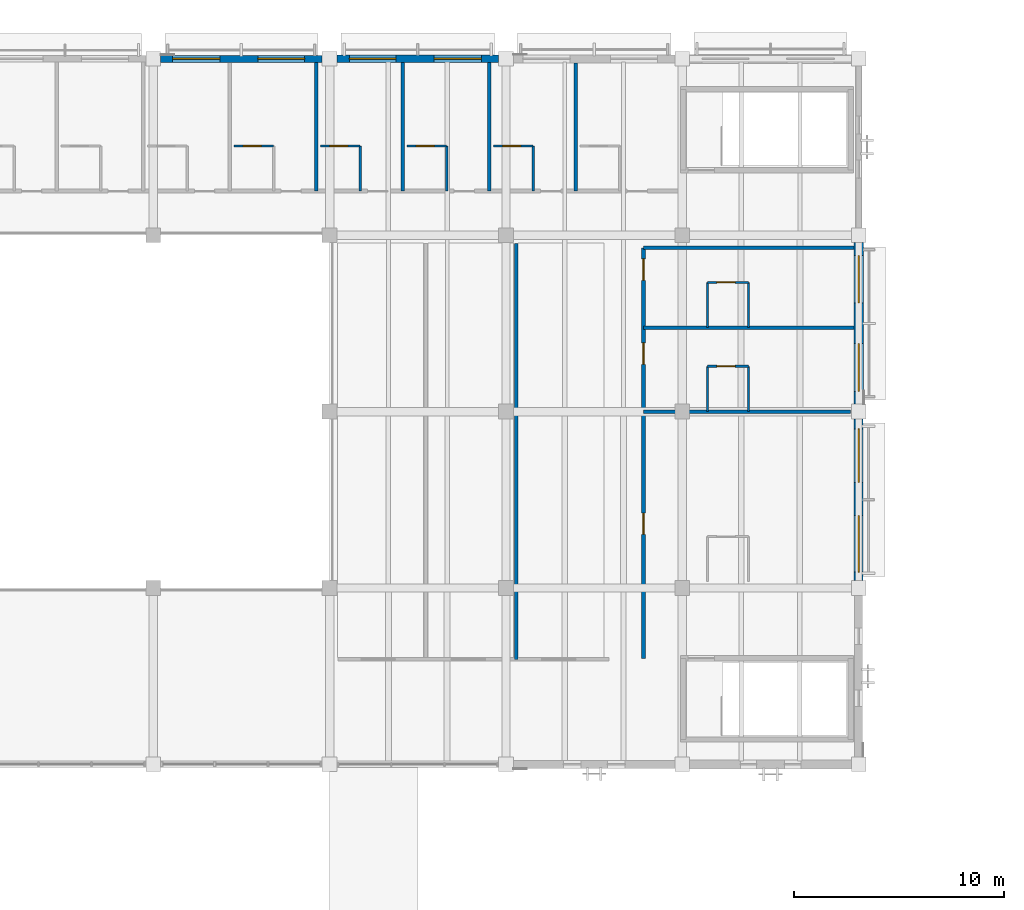
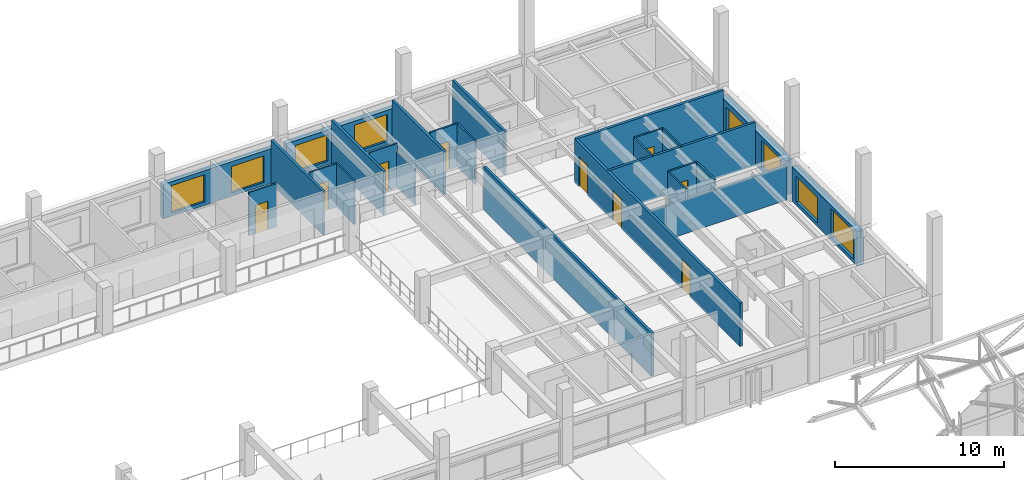
# One storey, part 95 of 123: 26 walls, 9 doors, 8 windows, 17 openings.
"""IFC4 building model written with IfcOpenShell, lengths in metres."""

from ifc_helpers import new_model, si_unit, direction, frame, frame_2d, origin, place, context, subcontext, project, spatial, rectangle, extrude, material, layer, layer_set, type_object, element, fill, save


model = new_model("IFC4")

# Units and contexts
model_context = context("Model", 3, precision=1e-05, world=origin(), true_north=direction((0.0, 1.0)))
body_context = subcontext(model_context, "Body", "Model", "MODEL_VIEW")
ifc_project = project(units=[si_unit("LENGTHUNIT", "METRE"), si_unit("AREAUNIT", "SQUARE_METRE"), si_unit("VOLUMEUNIT", "CUBIC_METRE"), si_unit("PLANEANGLEUNIT", "RADIAN"), si_unit("MASSUNIT", "GRAM", prefix="KILO")], contexts=[model_context])

# Site, building, storey
site_placement = place(None, origin())
site = spatial("IfcSite", under=ifc_project, at=site_placement, CompositionType="ELEMENT")
building_placement = place(site_placement, origin())
building = spatial("IfcBuilding", under=site, at=building_placement, Name="Cumbredor Promenade Congress Hotel", CompositionType="ELEMENT")
storey_placement = place(building_placement, frame((0.0, 0.0, 11.760009765625)))
storey = spatial("IfcBuildingStorey", under=building, at=storey_placement, Name="L03", CompositionType="ELEMENT", Elevation=11.760009765625)

# Wall, opening, door
ifc_material_1 = material(Name="Moisture-resistant gypsum board on steel studs", Category="steel")
ifc_layer_1 = layer(ifc_material_1, 0.114990234375, Name="Moisture-resistant gypsum board on steel studs", Category="steel")
ifc_layer_set_1 = layer_set([ifc_layer_1], Name="Moisture-resistant gypsum board on steel studs")
wall_type_1 = type_object("IfcWallType", Name="WL-BATH-115", PredefinedType="PARTITIONING", material=ifc_layer_set_1)
wall_1_placement = place(storey_placement, frame((146.639892578125, 113.449951171875, 0.0), z_axis=(0.0, 0.0, 1.0), x_axis=(1.0, 0.0, 0.0)))
wall_1 = element("IfcWall", 1, at=wall_1_placement, inside=storey, type_object=wall_type_1, Name="L03 Interior Partition W-L03-FBH-F0308", PredefinedType="PARTITIONING", context=body_context, shape_type="SweptSolid", body=[
    extrude(rectangle(XDim=1.900146484375, YDim=0.114990234375, at=frame_2d((0.9501953125, 0.0))), origin(), (0.0, 0.0, 1.0), 3.125),
])
opening_1_placement = place(wall_1_placement, frame((0.449951171875, 0.0, 0.0)))
opening_1 = element("IfcOpeningElement", 2, at=opening_1_placement, cuts=wall_1, Name="Opening ID-01", PredefinedType="OPENING", context=body_context, shape_type="SweptSolid", body=[
    extrude(rectangle(XDim=0.860107421875, YDim=2.050048828125, at=frame_2d((0.43017578125, 1.02490234375))), frame((0.0, 0.0673828125, 0.0), z_axis=(0.0, -1.0, 0.0), x_axis=(1.0, 0.0, 0.0)), (0.0, 0.0, 1.0), 0.135009765625),
])
ifc_material_2 = material(Name="Kiln-dried tropical hardwood", Category="wood")
door_type_1 = type_object("IfcDoorType", Name="DR-BATH-860", OperationType="NOTDEFINED", PredefinedType="DOOR", material=ifc_material_2)
door_1_placement = place(opening_1_placement, origin())
door_1 = element("IfcDoor", 3, at=door_1_placement, inside=storey, type_object=door_type_1, Name="L03 Interior Door W-L03-FBH-F0308-01", OperationType="SINGLE_SWING_RIGHT", OverallHeight=2.050048828125, OverallWidth=0.860107421875, PredefinedType="DOOR", context=body_context, shape_type="SweptSolid", body=[
    extrude(rectangle(XDim=0.860107421875, YDim=2.050048828125, at=frame_2d((0.43017578125, 1.02490234375))), frame((0.0, 0.02490234375, 0.0), z_axis=(0.0, -1.0, 0.0), x_axis=(1.0, 0.0, 0.0)), (0.0, 0.0, 1.0), 0.050048828125),
])
fill(opening_1, door_1)

wall_2_placement = place(storey_placement, frame((150.760009765625, 113.449951171875, 0.0), z_axis=(0.0, 0.0, 1.0), x_axis=(1.0, 0.0, 0.0)))
wall_2 = element("IfcWall", 4, at=wall_2_placement, inside=storey, type_object=wall_type_1, Name="L03 Interior Partition W-L03-FBH-F0309", PredefinedType="PARTITIONING", context=body_context, shape_type="SweptSolid", body=[
    extrude(rectangle(XDim=1.89990234375, YDim=0.114990234375, at=frame_2d((0.949951171875, 0.0))), origin(), (0.0, 0.0, 1.0), 3.125),
])
opening_2_placement = place(wall_2_placement, frame((0.449951171875, 0.0, 0.0)))
opening_2 = element("IfcOpeningElement", 5, at=opening_2_placement, cuts=wall_2, Name="Opening ID-01", PredefinedType="OPENING", context=body_context, shape_type="SweptSolid", body=[
    extrude(rectangle(XDim=0.860107421875, YDim=2.050048828125, at=frame_2d((0.43017578125, 1.02490234375))), frame((0.0, 0.0673828125, 0.0), z_axis=(0.0, -1.0, 0.0), x_axis=(1.0, 0.0, 0.0)), (0.0, 0.0, 1.0), 0.135009765625),
])
door_2_placement = place(opening_2_placement, origin())
door_2 = element("IfcDoor", 6, at=door_2_placement, inside=storey, type_object=door_type_1, Name="L03 Interior Door W-L03-FBH-F0309-01", OperationType="SINGLE_SWING_LEFT", OverallHeight=2.050048828125, OverallWidth=0.860107421875, PredefinedType="DOOR", context=body_context, shape_type="SweptSolid", body=[
    extrude(rectangle(XDim=0.860107421875, YDim=2.050048828125, at=frame_2d((0.43017578125, 1.02490234375))), frame((0.0, 0.02490234375, 0.0), z_axis=(0.0, -1.0, 0.0), x_axis=(1.0, 0.0, 0.0)), (0.0, 0.0, 1.0), 0.050048828125),
])
fill(opening_2, door_2)

# Wall
wall_3_placement = place(storey_placement, frame((152.659912109375, 111.300048828125, 0.0), z_axis=(0.0, 0.0, 1.0), x_axis=(0.0, 1.0, 0.0)))
element("IfcWall", 7, at=wall_3_placement, inside=storey, type_object=wall_type_1, Name="L03 Interior Partition W-L03-FBV-F0309", PredefinedType="PARTITIONING", context=body_context, shape_type="SweptSolid", body=[
    extrude(rectangle(XDim=2.14990234375, YDim=0.114990234375, at=frame_2d((1.074951171875, 0.0))), origin(), (0.0, 0.0, 1.0), 3.125),
])

# Wall, opening, door
wall_4_placement = place(storey_placement, frame((154.8798828125, 113.449951171875, 0.0), z_axis=(0.0, 0.0, 1.0), x_axis=(1.0, 0.0, 0.0)))
wall_4 = element("IfcWall", 8, at=wall_4_placement, inside=storey, type_object=wall_type_1, Name="L03 Interior Partition W-L03-FBH-F0310", PredefinedType="PARTITIONING", context=body_context, shape_type="SweptSolid", body=[
    extrude(rectangle(XDim=1.900146484375, YDim=0.114990234375, at=frame_2d((0.9501953125, 0.0))), origin(), (0.0, 0.0, 1.0), 3.125),
])
opening_3_placement = place(wall_4_placement, frame((0.449951171875, 0.0, 0.0)))
opening_3 = element("IfcOpeningElement", 9, at=opening_3_placement, cuts=wall_4, Name="Opening ID-01", PredefinedType="OPENING", context=body_context, shape_type="SweptSolid", body=[
    extrude(rectangle(XDim=0.860107421875, YDim=2.050048828125, at=frame_2d((0.43017578125, 1.02490234375))), frame((0.0, 0.0673828125, 0.0), z_axis=(0.0, -1.0, 0.0), x_axis=(1.0, 0.0, 0.0)), (0.0, 0.0, 1.0), 0.135009765625),
])
door_3_placement = place(opening_3_placement, origin())
door_3 = element("IfcDoor", 10, at=door_3_placement, inside=storey, type_object=door_type_1, Name="L03 Interior Door W-L03-FBH-F0310-01", OperationType="SINGLE_SWING_RIGHT", OverallHeight=2.050048828125, OverallWidth=0.860107421875, PredefinedType="DOOR", context=body_context, shape_type="SweptSolid", body=[
    extrude(rectangle(XDim=0.860107421875, YDim=2.050048828125, at=frame_2d((0.43017578125, 1.02490234375))), frame((0.0, 0.02490234375, 0.0), z_axis=(0.0, -1.0, 0.0), x_axis=(1.0, 0.0, 0.0)), (0.0, 0.0, 1.0), 0.050048828125),
])
fill(opening_3, door_3)

# Wall
wall_5_placement = place(storey_placement, frame((156.780029296875, 111.300048828125, 0.0), z_axis=(0.0, 0.0, 1.0), x_axis=(0.0, 1.0, 0.0)))
element("IfcWall", 11, at=wall_5_placement, inside=storey, type_object=wall_type_1, Name="L03 Interior Partition W-L03-FBV-F0310", PredefinedType="PARTITIONING", context=body_context, shape_type="SweptSolid", body=[
    extrude(rectangle(XDim=2.14990234375, YDim=0.114990234375, at=frame_2d((1.074951171875, 0.0))), origin(), (0.0, 0.0, 1.0), 2.555908203125),
])

# Wall, opening, door
wall_6_placement = place(storey_placement, frame((159.0, 113.449951171875, 0.0), z_axis=(0.0, 0.0, 1.0), x_axis=(1.0, 0.0, 0.0)))
wall_6 = element("IfcWall", 12, at=wall_6_placement, inside=storey, type_object=wall_type_1, Name="L03 Interior Partition W-L03-FBH-F0311", PredefinedType="PARTITIONING", context=body_context, shape_type="SweptSolid", body=[
    extrude(rectangle(XDim=1.89990234375, YDim=0.114990234375, at=frame_2d((0.949951171875, 0.0))), origin(), (0.0, 0.0, 1.0), 3.125),
])
opening_4_placement = place(wall_6_placement, frame((0.449951171875, 0.0, 0.0)))
opening_4 = element("IfcOpeningElement", 13, at=opening_4_placement, cuts=wall_6, Name="Opening ID-01", PredefinedType="OPENING", context=body_context, shape_type="SweptSolid", body=[
    extrude(rectangle(XDim=0.860107421875, YDim=2.050048828125, at=frame_2d((0.43017578125, 1.02490234375))), frame((0.0, 0.0673828125, 0.0), z_axis=(0.0, -1.0, 0.0), x_axis=(1.0, 0.0, 0.0)), (0.0, 0.0, 1.0), 0.135009765625),
])
door_4_placement = place(opening_4_placement, origin())
door_4 = element("IfcDoor", 14, at=door_4_placement, inside=storey, type_object=door_type_1, Name="L03 Interior Door W-L03-FBH-F0311-01", OperationType="SINGLE_SWING_LEFT", OverallHeight=2.050048828125, OverallWidth=0.860107421875, PredefinedType="DOOR", context=body_context, shape_type="SweptSolid", body=[
    extrude(rectangle(XDim=0.860107421875, YDim=2.050048828125, at=frame_2d((0.43017578125, 1.02490234375))), frame((0.0, 0.02490234375, 0.0), z_axis=(0.0, -1.0, 0.0), x_axis=(1.0, 0.0, 0.0)), (0.0, 0.0, 1.0), 0.050048828125),
])
fill(opening_4, door_4)

# Wall
wall_7_placement = place(storey_placement, frame((160.89990234375, 111.300048828125, 0.0), z_axis=(0.0, 0.0, 1.0), x_axis=(0.0, 1.0, 0.0)))
element("IfcWall", 15, at=wall_7_placement, inside=storey, type_object=wall_type_1, Name="L03 Interior Partition W-L03-FBV-F0311", PredefinedType="PARTITIONING", context=body_context, shape_type="SweptSolid", body=[
    extrude(rectangle(XDim=2.14990234375, YDim=0.114990234375, at=frame_2d((1.074951171875, 0.0))), origin(), (0.0, 0.0, 1.0), 3.125),
])

# Wall, opening, door
wall_8_placement = place(storey_placement, frame((169.199951171875, 102.949951171875, 0.0), z_axis=(0.0, 0.0, 1.0), x_axis=(1.0, 0.0, 0.0)))
wall_8 = element("IfcWall", 16, at=wall_8_placement, inside=storey, type_object=wall_type_1, Name="L03 Interior Partition W-L03-FEBH-E0302", PredefinedType="PARTITIONING", context=body_context, shape_type="SweptSolid", body=[
    extrude(rectangle(XDim=1.949951171875, YDim=0.114990234375, at=frame_2d((0.97509765625, 0.0))), origin(), (0.0, 0.0, 1.0), 3.125),
])
opening_5_placement = place(wall_8_placement, frame((0.449951171875, 0.0, 0.0)))
opening_5 = element("IfcOpeningElement", 17, at=opening_5_placement, cuts=wall_8, Name="Opening ID-01", PredefinedType="OPENING", context=body_context, shape_type="SweptSolid", body=[
    extrude(rectangle(XDim=0.860107421875, YDim=2.050048828125, at=frame_2d((0.43017578125, 1.02490234375))), frame((0.0, 0.0673828125, 0.0), z_axis=(0.0, -1.0, 0.0), x_axis=(1.0, 0.0, 0.0)), (0.0, 0.0, 1.0), 0.135009765625),
])
door_5_placement = place(opening_5_placement, origin())
door_5 = element("IfcDoor", 18, at=door_5_placement, inside=storey, type_object=door_type_1, Name="L03 Interior Door W-L03-FEBH-E0302-01", OperationType="SINGLE_SWING_RIGHT", OverallHeight=2.050048828125, OverallWidth=0.860107421875, PredefinedType="DOOR", context=body_context, shape_type="SweptSolid", body=[
    extrude(rectangle(XDim=0.860107421875, YDim=2.050048828125, at=frame_2d((0.43017578125, 1.02490234375))), frame((0.0, 0.02490234375, 0.0), z_axis=(0.0, -1.0, 0.0), x_axis=(1.0, 0.0, 0.0)), (0.0, 0.0, 1.0), 0.050048828125),
])
fill(opening_5, door_5)

# Walls
for number, where, z_axis, x_axis, name in (
    (19, (169.199951171875, 100.800048828125, 0.0), (0.0, 0.0, 1.0), (0.0, 1.0, 0.0), "L03 Interior Partition W-L03-FEBV1-E0302"),
    (20, (171.14990234375, 100.800048828125, 0.0), (0.0, 0.0, 1.0), (0.0, 1.0, 0.0), "L03 Interior Partition W-L03-FEBV2-E0302"),
):
    element("IfcWall", number, at=place(storey_placement, frame(where, z_axis=z_axis, x_axis=x_axis)), inside=storey, type_object=wall_type_1, Name=name, PredefinedType="PARTITIONING", context=body_context, shape_type="SweptSolid", body=[
        extrude(rectangle(XDim=2.14990234375, YDim=0.114990234375, at=frame_2d((1.074951171875, 0.0))), origin(), (0.0, 0.0, 1.0), 3.125),
    ])

# Wall, opening, door
wall_9_placement = place(storey_placement, frame((169.199951171875, 106.949951171875, 0.0), z_axis=(0.0, 0.0, 1.0), x_axis=(1.0, 0.0, 0.0)))
wall_9 = element("IfcWall", 21, at=wall_9_placement, inside=storey, type_object=wall_type_1, Name="L03 Interior Partition W-L03-FEBH-E0303", PredefinedType="PARTITIONING", context=body_context, shape_type="SweptSolid", body=[
    extrude(rectangle(XDim=1.949951171875, YDim=0.114990234375, at=frame_2d((0.97509765625, 0.0))), origin(), (0.0, 0.0, 1.0), 3.125),
])
opening_6_placement = place(wall_9_placement, frame((0.449951171875, 0.0, 0.0)))
opening_6 = element("IfcOpeningElement", 22, at=opening_6_placement, cuts=wall_9, Name="Opening ID-01", PredefinedType="OPENING", context=body_context, shape_type="SweptSolid", body=[
    extrude(rectangle(XDim=0.860107421875, YDim=2.050048828125, at=frame_2d((0.43017578125, 1.02490234375))), frame((0.0, 0.0673828125, 0.0), z_axis=(0.0, -1.0, 0.0), x_axis=(1.0, 0.0, 0.0)), (0.0, 0.0, 1.0), 0.135009765625),
])
door_6_placement = place(opening_6_placement, origin())
door_6 = element("IfcDoor", 23, at=door_6_placement, inside=storey, type_object=door_type_1, Name="L03 Interior Door W-L03-FEBH-E0303-01", OperationType="SINGLE_SWING_LEFT", OverallHeight=2.050048828125, OverallWidth=0.860107421875, PredefinedType="DOOR", context=body_context, shape_type="SweptSolid", body=[
    extrude(rectangle(XDim=0.860107421875, YDim=2.050048828125, at=frame_2d((0.43017578125, 1.02490234375))), frame((0.0, 0.02490234375, 0.0), z_axis=(0.0, -1.0, 0.0), x_axis=(1.0, 0.0, 0.0)), (0.0, 0.0, 1.0), 0.050048828125),
])
fill(opening_6, door_6)

# Walls
for number, where, z_axis, x_axis, name in (
    (24, (169.199951171875, 104.800048828125, 0.0), (0.0, 0.0, 1.0), (0.0, 1.0, 0.0), "L03 Interior Partition W-L03-FEBV1-E0303"),
    (25, (171.14990234375, 104.800048828125, 0.0), (0.0, 0.0, 1.0), (0.0, 1.0, 0.0), "L03 Interior Partition W-L03-FEBV2-E0303"),
):
    element("IfcWall", number, at=place(storey_placement, frame(where, z_axis=z_axis, x_axis=x_axis)), inside=storey, type_object=wall_type_1, Name=name, PredefinedType="PARTITIONING", context=body_context, shape_type="SweptSolid", body=[
        extrude(rectangle(XDim=2.14990234375, YDim=0.114990234375, at=frame_2d((1.074951171875, 0.0))), origin(), (0.0, 0.0, 1.0), 3.125),
    ])

# Wall, openings, doors
ifc_material_3 = material(Name="Fire-rated hotel corridor wall")
ifc_layer_2 = layer(ifc_material_3, 0.179931640625, Name="Fire-rated hotel corridor wall")
ifc_layer_set_2 = layer_set([ifc_layer_2], Name="Fire-rated hotel corridor wall")
wall_type_2 = type_object("IfcWallType", Name="WL-CORR-180", PredefinedType="PARTITIONING", material=ifc_layer_set_2)
wall_10_placement = place(storey_placement, frame((166.14990234375, 89.050048828125, 0.0), z_axis=(0.0, 0.0, 1.0), x_axis=(0.0, 1.0, 0.0)))
wall_10 = element("IfcWall", 26, at=wall_10_placement, inside=storey, type_object=wall_type_2, Name="L03 Interior Partition W-L03-FECORRW", PredefinedType="PARTITIONING", context=body_context, shape_type="SweptSolid", body=[
    extrude(rectangle(XDim=19.550048828125, YDim=0.179931640625, at=frame_2d((9.77490234375, 0.0))), origin(), (0.0, 0.0, 1.0), 3.125),
])
opening_7_placement = place(wall_10_placement, frame((5.89990234375, 0.0, 0.0)))
opening_7 = element("IfcOpeningElement", 27, at=opening_7_placement, cuts=wall_10, Name="Opening FD-02", PredefinedType="OPENING", context=body_context, shape_type="SweptSolid", body=[
    extrude(rectangle(XDim=1.02001953125, YDim=2.14990234375, at=frame_2d((0.510009765625, 1.074951171875))), frame((0.0, 0.10009765625, 0.0), z_axis=(0.0, -1.0, 0.0), x_axis=(1.0, 0.0, 0.0)), (0.0, 0.0, 1.0), 0.199951171875),
])
opening_8_placement = place(wall_10_placement, frame((14.0, 0.0, 0.0)))
opening_8 = element("IfcOpeningElement", 28, at=opening_8_placement, cuts=wall_10, Name="Opening FD-02", PredefinedType="OPENING", context=body_context, shape_type="SweptSolid", body=[
    extrude(rectangle(XDim=1.02001953125, YDim=2.14990234375, at=frame_2d((0.510009765625, 1.074951171875))), frame((0.0, 0.10009765625, 0.0), z_axis=(0.0, -1.0, 0.0), x_axis=(1.0, 0.0, 0.0)), (0.0, 0.0, 1.0), 0.199951171875),
])
opening_9_placement = place(wall_10_placement, frame((18.0, 0.0, 0.0)))
opening_9 = element("IfcOpeningElement", 29, at=opening_9_placement, cuts=wall_10, Name="Opening FD-02", PredefinedType="OPENING", context=body_context, shape_type="SweptSolid", body=[
    extrude(rectangle(XDim=1.02001953125, YDim=2.14990234375, at=frame_2d((0.510009765625, 1.074951171875))), frame((0.0, 0.10009765625, 0.0), z_axis=(0.0, -1.0, 0.0), x_axis=(1.0, 0.0, 0.0)), (0.0, 0.0, 1.0), 0.199951171875),
])
ifc_material_4 = material(Name="Solid-core fire-rated tropical hardwood", Category="wood")
door_type_2 = type_object("IfcDoorType", Name="DR-GUEST-FD30-1000", OperationType="NOTDEFINED", PredefinedType="DOOR", material=ifc_material_4)
door_7_placement = place(opening_7_placement, origin())
door_7 = element("IfcDoor", 30, at=door_7_placement, inside=storey, type_object=door_type_2, Name="L03 Interior Door W-L03-FECORRW-01", OperationType="SINGLE_SWING_RIGHT", OverallHeight=2.14990234375, OverallWidth=1.02001953125, PredefinedType="DOOR", context=body_context, shape_type="SweptSolid", body=[
    extrude(rectangle(XDim=1.02001953125, YDim=2.14990234375, at=frame_2d((0.510009765625, 1.074951171875))), frame((0.0, 0.02490234375, 0.0), z_axis=(0.0, -1.0, 0.0), x_axis=(1.0, 0.0, 0.0)), (0.0, 0.0, 1.0), 0.050048828125),
])
fill(opening_7, door_7)
door_8_placement = place(opening_8_placement, origin())
door_8 = element("IfcDoor", 31, at=door_8_placement, inside=storey, type_object=door_type_2, Name="L03 Interior Door W-L03-FECORRW-02", OperationType="SINGLE_SWING_LEFT", OverallHeight=2.14990234375, OverallWidth=1.02001953125, PredefinedType="DOOR", context=body_context, shape_type="SweptSolid", body=[
    extrude(rectangle(XDim=1.02001953125, YDim=2.14990234375, at=frame_2d((0.510009765625, 1.074951171875))), frame((0.0, 0.02490234375, 0.0), z_axis=(0.0, -1.0, 0.0), x_axis=(1.0, 0.0, 0.0)), (0.0, 0.0, 1.0), 0.050048828125),
])
fill(opening_8, door_8)
door_9_placement = place(opening_9_placement, origin())
door_9 = element("IfcDoor", 32, at=door_9_placement, inside=storey, type_object=door_type_2, Name="L03 Interior Door W-L03-FECORRW-03", OperationType="SINGLE_SWING_RIGHT", OverallHeight=2.14990234375, OverallWidth=1.02001953125, PredefinedType="DOOR", context=body_context, shape_type="SweptSolid", body=[
    extrude(rectangle(XDim=1.02001953125, YDim=2.14990234375, at=frame_2d((0.510009765625, 1.074951171875))), frame((0.0, 0.02490234375, 0.0), z_axis=(0.0, -1.0, 0.0), x_axis=(1.0, 0.0, 0.0)), (0.0, 0.0, 1.0), 0.050048828125),
])
fill(opening_9, door_9)

# Wall
wall_11_placement = place(storey_placement, frame((166.14990234375, 108.60009765625, 0.0), z_axis=(0.0, 0.0, 1.0), x_axis=(1.0, 0.0, 0.0)))
element("IfcWall", 33, at=wall_11_placement, inside=storey, type_object=wall_type_2, Name="L03 Interior Partition W-L03-FECORRN", PredefinedType="PARTITIONING", context=body_context, shape_type="SweptSolid", body=[
    extrude(rectangle(XDim=10.025146484375, YDim=0.179931640625, at=frame_2d((5.0126953125, 0.0))), origin(), (0.0, 0.0, 1.0), 3.125),
])

# Wall, openings, windows
ifc_material_5 = material(Name="Concrete C40/50", Category="concrete")
ifc_layer_3 = layer(ifc_material_5, 0.324951171875, Name="Concrete C40/50", Category="concrete")
ifc_layer_set_3 = layer_set([ifc_layer_3], Name="Concrete C40/50")
wall_type_3 = type_object("IfcWallType", Name="WL-EXT-325", PredefinedType="SOLIDWALL", material=ifc_layer_set_3)
wall_12_placement = place(storey_placement, frame((143.15087890625, 117.60009765625, 0.0), z_axis=(0.0, 0.0, 1.0), x_axis=(1.0, 0.0, 0.0)))
wall_12 = element("IfcWall", 34, at=wall_12_placement, inside=storey, type_object=wall_type_3, Name="L03 Pre-Function and Breakout Meeting Forum North Envelope Wall 7", PredefinedType="SOLIDWALL", context=body_context, shape_type="SweptSolid", body=[
    extrude(rectangle(XDim=7.6982421875, YDim=0.324951171875, at=frame_2d((3.84912109375, 0.0))), origin(), (0.0, 0.0, 1.0), 2.493896484375),
])
opening_10_placement = place(wall_12_placement, frame((0.573974609375, 0.0, 0.25)))
opening_10 = element("IfcOpeningElement", 35, at=opening_10_placement, cuts=wall_12, Name="Opening WN-07", PredefinedType="OPENING", context=body_context, shape_type="SweptSolid", body=[
    extrude(rectangle(XDim=2.25, YDim=1.949951171875, at=frame_2d((1.125, 0.97509765625))), frame((0.0, 0.17236328125, 0.0), z_axis=(0.0, -1.0, 0.0), x_axis=(1.0, 0.0, 0.0)), (0.0, 0.0, 1.0), 0.344970703125),
])
opening_11_placement = place(wall_12_placement, frame((4.638916015625, 0.0, 0.25)))
opening_11 = element("IfcOpeningElement", 36, at=opening_11_placement, cuts=wall_12, Name="Opening WN-35", PredefinedType="OPENING", context=body_context, shape_type="SweptSolid", body=[
    extrude(rectangle(XDim=2.219970703125, YDim=1.89990234375, at=frame_2d((1.10986328125, 0.949951171875))), frame((0.0, 0.17236328125, 0.0), z_axis=(0.0, -1.0, 0.0), x_axis=(1.0, 0.0, 0.0)), (0.0, 0.0, 1.0), 0.344970703125),
])
ifc_material_6 = material(Name="Thermally broken anodized aluminium and low-E glass", Category="aluminium")
window_type_1 = type_object("IfcWindowType", Name="Hospitality Floor-to-Ceiling Window WN-07 2250x1950", PartitioningType="DOUBLE_PANEL_VERTICAL", PredefinedType="WINDOW", material=ifc_material_6)
window_1_placement = place(opening_10_placement, origin())
window_1 = element("IfcWindow", 37, at=window_1_placement, inside=storey, type_object=window_type_1, Name="L03 Wide Hospitality Window 0382", OverallHeight=1.949951171875, OverallWidth=2.25, PartitioningType="DOUBLE_PANEL_VERTICAL", PredefinedType="WINDOW", context=body_context, shape_type="SweptSolid", body=[
    extrude(rectangle(XDim=2.25, YDim=1.949951171875, at=frame_2d((1.125, 0.97509765625))), frame((0.0, 0.030029296875, 0.0), z_axis=(0.0, -1.0, 0.0), x_axis=(1.0, 0.0, 0.0)), (0.0, 0.0, 1.0), 0.06005859375),
])
fill(opening_10, window_1)
window_type_2 = type_object("IfcWindowType", Name="Hospitality Floor-to-Ceiling Window WN-35 2220x1900", PartitioningType="DOUBLE_PANEL_VERTICAL", PredefinedType="WINDOW", material=ifc_material_6)
window_2_placement = place(opening_11_placement, origin())
window_2 = element("IfcWindow", 38, at=window_2_placement, inside=storey, type_object=window_type_2, Name="L03 Wide Hospitality Window 0383", OverallHeight=1.89990234375, OverallWidth=2.219970703125, PartitioningType="DOUBLE_PANEL_VERTICAL", PredefinedType="WINDOW", context=body_context, shape_type="SweptSolid", body=[
    extrude(rectangle(XDim=2.219970703125, YDim=1.89990234375, at=frame_2d((1.10986328125, 0.949951171875))), frame((0.0, 0.030029296875, 0.0), z_axis=(0.0, -1.0, 0.0), x_axis=(1.0, 0.0, 0.0)), (0.0, 0.0, 1.0), 0.06005859375),
])
fill(opening_11, window_2)

ifc_layer_4 = layer(ifc_material_5, 0.35009765625, Name="Concrete C40/50", Category="concrete")
ifc_layer_set_4 = layer_set([ifc_layer_4], Name="Concrete C40/50")
wall_type_4 = type_object("IfcWallType", Name="WL-EXT-350", PredefinedType="SOLIDWALL", material=ifc_layer_set_4)
wall_13_placement = place(storey_placement, frame((151.551025390625, 117.60009765625, 0.0), z_axis=(0.0, 0.0, 1.0), x_axis=(1.0, 0.0, 0.0)))
wall_13 = element("IfcWall", 39, at=wall_13_placement, inside=storey, type_object=wall_type_4, Name="L03 Pre-Function and Breakout Meeting Forum North Envelope Wall 8", PredefinedType="SOLIDWALL", context=body_context, shape_type="SweptSolid", body=[
    extrude(rectangle(XDim=7.697998046875, YDim=0.35009765625, at=frame_2d((3.84912109375, 0.0))), origin(), (0.0, 0.0, 1.0), 2.493896484375),
])
opening_12_placement = place(wall_13_placement, frame((0.589111328125, 0.0, 0.25)))
opening_12 = element("IfcOpeningElement", 40, at=opening_12_placement, cuts=wall_13, Name="Opening WN-35", PredefinedType="OPENING", context=body_context, shape_type="SweptSolid", body=[
    extrude(rectangle(XDim=2.219970703125, YDim=1.89990234375, at=frame_2d((1.10986328125, 0.949951171875))), frame((0.0, 0.18505859375, 0.0), z_axis=(0.0, -1.0, 0.0), x_axis=(1.0, 0.0, 0.0)), (0.0, 0.0, 1.0), 0.3701171875),
])
opening_13_placement = place(wall_13_placement, frame((4.6240234375, 0.0, 0.25)))
opening_13 = element("IfcOpeningElement", 41, at=opening_13_placement, cuts=wall_13, Name="Opening WN-07", PredefinedType="OPENING", context=body_context, shape_type="SweptSolid", body=[
    extrude(rectangle(XDim=2.25, YDim=1.949951171875, at=frame_2d((1.125, 0.97509765625))), frame((0.0, 0.18505859375, 0.0), z_axis=(0.0, -1.0, 0.0), x_axis=(1.0, 0.0, 0.0)), (0.0, 0.0, 1.0), 0.3701171875),
])
window_3_placement = place(opening_13_placement, origin())
window_3 = element("IfcWindow", 42, at=window_3_placement, inside=storey, type_object=window_type_1, Name="L03 Wide Hospitality Window 0385", OverallHeight=1.949951171875, OverallWidth=2.25, PartitioningType="DOUBLE_PANEL_VERTICAL", PredefinedType="WINDOW", context=body_context, shape_type="SweptSolid", body=[
    extrude(rectangle(XDim=2.25, YDim=1.949951171875, at=frame_2d((1.125, 0.97509765625))), frame((0.0, 0.030029296875, 0.0), z_axis=(0.0, -1.0, 0.0), x_axis=(1.0, 0.0, 0.0)), (0.0, 0.0, 1.0), 0.06005859375),
])
fill(opening_13, window_3)
window_4_placement = place(opening_12_placement, origin())
window_4 = element("IfcWindow", 43, at=window_4_placement, inside=storey, type_object=window_type_2, Name="L03 Wide Hospitality Window 0384", OverallHeight=1.89990234375, OverallWidth=2.219970703125, PartitioningType="DOUBLE_PANEL_VERTICAL", PredefinedType="WINDOW", context=body_context, shape_type="SweptSolid", body=[
    extrude(rectangle(XDim=2.219970703125, YDim=1.89990234375, at=frame_2d((1.10986328125, 0.949951171875))), frame((0.0, 0.030029296875, 0.0), z_axis=(0.0, -1.0, 0.0), x_axis=(1.0, 0.0, 0.0)), (0.0, 0.0, 1.0), 0.06005859375),
])
fill(opening_12, window_4)

ifc_layer_5 = layer(ifc_material_5, 0.425048828125, Name="Concrete C40/50", Category="concrete")
ifc_layer_set_5 = layer_set([ifc_layer_5], Name="Concrete C40/50")
wall_type_5 = type_object("IfcWallType", Name="WL-EXT-425", PredefinedType="SOLIDWALL", material=ifc_layer_set_5)
wall_14_placement = place(storey_placement, frame((176.39990234375, 92.7509765625, 0.0), z_axis=(0.0, 0.0, 1.0), x_axis=(0.0, 1.0, 0.0)))
wall_14 = element("IfcWall", 44, at=wall_14_placement, inside=storey, type_object=wall_type_5, Name="L03 Pre-Function and Breakout Meeting Forum East Envelope Wall 2", PredefinedType="SOLIDWALL", context=body_context, shape_type="SweptSolid", body=[
    extrude(rectangle(XDim=7.697998046875, YDim=0.425048828125, at=frame_2d((3.84912109375, 0.0))), origin(), (0.0, 0.0, 1.0), 2.493896484375),
])
opening_14_placement = place(wall_14_placement, frame((0.408935546875, 0.0, 0.25)))
opening_14 = element("IfcOpeningElement", 45, at=opening_14_placement, cuts=wall_14, Name="Opening WN-44", PredefinedType="OPENING", context=body_context, shape_type="SweptSolid", body=[
    extrude(rectangle(XDim=2.679931640625, YDim=2.0, at=frame_2d((1.33984375, 1.0))), frame((0.0, 0.22265625, 0.0), z_axis=(0.0, -1.0, 0.0), x_axis=(1.0, 0.0, 0.0)), (0.0, 0.0, 1.0), 0.445068359375),
])
opening_15_placement = place(wall_14_placement, frame((4.674072265625, 0.0, 0.25)))
opening_15 = element("IfcOpeningElement", 46, at=opening_15_placement, cuts=wall_14, Name="Opening WN-04", PredefinedType="OPENING", context=body_context, shape_type="SweptSolid", body=[
    extrude(rectangle(XDim=2.550048828125, YDim=1.85009765625, at=frame_2d((1.27490234375, 0.925048828125))), frame((0.0, 0.22265625, 0.0), z_axis=(0.0, -1.0, 0.0), x_axis=(1.0, 0.0, 0.0)), (0.0, 0.0, 1.0), 0.445068359375),
])
window_type_3 = type_object("IfcWindowType", Name="Hospitality Floor-to-Ceiling Window WN-04 2550x1850", PartitioningType="DOUBLE_PANEL_VERTICAL", PredefinedType="WINDOW", material=ifc_material_6)
window_5_placement = place(opening_15_placement, origin())
window_5 = element("IfcWindow", 47, at=window_5_placement, inside=storey, type_object=window_type_3, Name="L03 Wide Hospitality Window 0397", OverallHeight=1.85009765625, OverallWidth=2.550048828125, PartitioningType="DOUBLE_PANEL_VERTICAL", PredefinedType="WINDOW", context=body_context, shape_type="SweptSolid", body=[
    extrude(rectangle(XDim=2.550048828125, YDim=1.85009765625, at=frame_2d((1.27490234375, 0.925048828125))), frame((0.0, 0.030029296875, 0.0), z_axis=(0.0, -1.0, 0.0), x_axis=(1.0, 0.0, 0.0)), (0.0, 0.0, 1.0), 0.06005859375),
])
fill(opening_15, window_5)
window_type_4 = type_object("IfcWindowType", Name="Hospitality Floor-to-Ceiling Window WN-44 2680x2000", PartitioningType="DOUBLE_PANEL_VERTICAL", PredefinedType="WINDOW", material=ifc_material_6)
window_6_placement = place(opening_14_placement, origin())
window_6 = element("IfcWindow", 48, at=window_6_placement, inside=storey, type_object=window_type_4, Name="L03 Wide Hospitality Window 0396", OverallHeight=2.0, OverallWidth=2.679931640625, PartitioningType="DOUBLE_PANEL_VERTICAL", PredefinedType="WINDOW", context=body_context, shape_type="SweptSolid", body=[
    extrude(rectangle(XDim=2.679931640625, YDim=2.0, at=frame_2d((1.33984375, 1.0))), frame((0.0, 0.030029296875, 0.0), z_axis=(0.0, -1.0, 0.0), x_axis=(1.0, 0.0, 0.0)), (0.0, 0.0, 1.0), 0.06005859375),
])
fill(opening_14, window_6)

ifc_layer_6 = layer(ifc_material_5, 0.449951171875, Name="Concrete C40/50", Category="concrete")
ifc_layer_set_6 = layer_set([ifc_layer_6], Name="Concrete C40/50")
wall_type_6 = type_object("IfcWallType", Name="WL-EXT-450", PredefinedType="SOLIDWALL", material=ifc_layer_set_6)
wall_15_placement = place(storey_placement, frame((176.39990234375, 101.15087890625, 0.0), z_axis=(0.0, 0.0, 1.0), x_axis=(0.0, 1.0, 0.0)))
wall_15 = element("IfcWall", 49, at=wall_15_placement, inside=storey, type_object=wall_type_6, Name="L03 Pre-Function and Breakout Meeting Forum East Envelope Wall 3", PredefinedType="SOLIDWALL", context=body_context, shape_type="SweptSolid", body=[
    extrude(rectangle(XDim=7.6982421875, YDim=0.449951171875, at=frame_2d((3.84912109375, 0.0))), origin(), (0.0, 0.0, 1.0), 2.493896484375),
])
opening_16_placement = place(wall_15_placement, frame((0.60888671875, 0.0, 0.25)))
opening_16 = element("IfcOpeningElement", 50, at=opening_16_placement, cuts=wall_15, Name="Opening WN-40", PredefinedType="OPENING", context=body_context, shape_type="SweptSolid", body=[
    extrude(rectangle(XDim=2.280029296875, YDim=2.0, at=frame_2d((1.14013671875, 1.0))), frame((0.0, 0.23486328125, 0.0), z_axis=(0.0, -1.0, 0.0), x_axis=(1.0, 0.0, 0.0)), (0.0, 0.0, 1.0), 0.469970703125),
])
opening_17_placement = place(wall_15_placement, frame((4.823974609375, 0.0, 0.25)))
opening_17 = element("IfcOpeningElement", 51, at=opening_17_placement, cuts=wall_15, Name="Opening WN-01", PredefinedType="OPENING", context=body_context, shape_type="SweptSolid", body=[
    extrude(rectangle(XDim=2.25, YDim=1.85009765625, at=frame_2d((1.125, 0.925048828125))), frame((0.0, 0.23486328125, 0.0), z_axis=(0.0, -1.0, 0.0), x_axis=(1.0, 0.0, 0.0)), (0.0, 0.0, 1.0), 0.469970703125),
])
window_type_5 = type_object("IfcWindowType", Name="Hospitality Floor-to-Ceiling Window WN-01 2250x1850", PartitioningType="DOUBLE_PANEL_VERTICAL", PredefinedType="WINDOW", material=ifc_material_6)
window_7_placement = place(opening_17_placement, origin())
window_7 = element("IfcWindow", 52, at=window_7_placement, inside=storey, type_object=window_type_5, Name="L03 Wide Hospitality Window 0399", OverallHeight=1.85009765625, OverallWidth=2.25, PartitioningType="DOUBLE_PANEL_VERTICAL", PredefinedType="WINDOW", context=body_context, shape_type="SweptSolid", body=[
    extrude(rectangle(XDim=2.25, YDim=1.85009765625, at=frame_2d((1.125, 0.925048828125))), frame((0.0, 0.030029296875, 0.0), z_axis=(0.0, -1.0, 0.0), x_axis=(1.0, 0.0, 0.0)), (0.0, 0.0, 1.0), 0.06005859375),
])
fill(opening_17, window_7)
window_type_6 = type_object("IfcWindowType", Name="Hospitality Floor-to-Ceiling Window WN-40 2280x2000", PartitioningType="DOUBLE_PANEL_VERTICAL", PredefinedType="WINDOW", material=ifc_material_6)
window_8_placement = place(opening_16_placement, origin())
window_8 = element("IfcWindow", 53, at=window_8_placement, inside=storey, type_object=window_type_6, Name="L03 Wide Hospitality Window 0398", OverallHeight=2.0, OverallWidth=2.280029296875, PartitioningType="DOUBLE_PANEL_VERTICAL", PredefinedType="WINDOW", context=body_context, shape_type="SweptSolid", body=[
    extrude(rectangle(XDim=2.280029296875, YDim=2.0, at=frame_2d((1.14013671875, 1.0))), frame((0.0, 0.030029296875, 0.0), z_axis=(0.0, -1.0, 0.0), x_axis=(1.0, 0.0, 0.0)), (0.0, 0.0, 1.0), 0.06005859375),
])
fill(opening_16, window_8)

# Walls
ifc_material_7 = material(Name="Fire-rated acoustic double-stud partition")
ifc_layer_7 = layer(ifc_material_7, 0.1650390625, Name="Fire-rated acoustic double-stud partition")
ifc_layer_set_7 = layer_set([ifc_layer_7], Name="Fire-rated acoustic double-stud partition")
wall_type_7 = type_object("IfcWallType", Name="WL-UNIT-165", PredefinedType="PARTITIONING", material=ifc_layer_set_7)
wall_16_placement = place(storey_placement, frame((160.080078125, 89.0, 0.0), z_axis=(0.0, 0.0, 1.0), x_axis=(0.0, 1.0, 0.0)))
element("IfcWall", 54, at=wall_16_placement, inside=storey, type_object=wall_type_7, Name="L03 Interior Partition W-L03-V4-EDIV-2", PredefinedType="PARTITIONING", context=body_context, shape_type="SweptSolid", body=[
    extrude(rectangle(XDim=19.800048828125, YDim=0.1650390625, at=frame_2d((9.89990234375, 0.0))), origin(), (0.0, 0.0, 1.0), 3.125),
])
wall_17_placement = place(storey_placement, frame((150.56005859375, 111.300048828125, 0.0), z_axis=(0.0, 0.0, 1.0), x_axis=(0.0, 1.0, 0.0)))
element("IfcWall", 55, at=wall_17_placement, inside=storey, type_object=wall_type_7, Name="L03 Interior Partition W-L03-FDIV-8", PredefinedType="PARTITIONING", context=body_context, shape_type="SweptSolid", body=[
    extrude(rectangle(XDim=6.137451171875, YDim=0.1650390625, at=frame_2d((3.06884765625, 0.0))), origin(), (0.0, 0.0, 1.0), 3.125),
])
for number, where, z_axis, x_axis, name in (
    (56, (154.679931640625, 111.300048828125, 0.0), (0.0, 0.0, 1.0), (0.0, 1.0, 0.0), "L03 Interior Partition W-L03-FDIV-9"),
    (57, (158.800048828125, 111.300048828125, 0.0), (0.0, 0.0, 1.0), (0.0, 1.0, 0.0), "L03 Interior Partition W-L03-FDIV-10"),
):
    element("IfcWall", number, at=place(storey_placement, frame(where, z_axis=z_axis, x_axis=x_axis)), inside=storey, type_object=wall_type_7, Name=name, PredefinedType="PARTITIONING", context=body_context, shape_type="SweptSolid", body=[
        extrude(rectangle(XDim=6.125, YDim=0.1650390625, at=frame_2d((3.0625, 0.0))), origin(), (0.0, 0.0, 1.0), 3.125),
    ])
wall_18_placement = place(storey_placement, frame((162.919921875, 111.300048828125, 0.0), z_axis=(0.0, 0.0, 1.0), x_axis=(0.0, 1.0, 0.0)))
element("IfcWall", 58, at=wall_18_placement, inside=storey, type_object=wall_type_7, Name="L03 Interior Partition W-L03-FDIV-11", PredefinedType="PARTITIONING", context=body_context, shape_type="SweptSolid", body=[
    extrude(rectangle(XDim=6.10986328125, YDim=0.1650390625, at=frame_2d((3.054931640625, 0.0))), origin(), (0.0, 0.0, 1.0), 3.125),
])
wall_19_placement = place(storey_placement, frame((166.14990234375, 100.800048828125, 0.0), z_axis=(0.0, 0.0, 1.0), x_axis=(1.0, 0.0, 0.0)))
element("IfcWall", 59, at=wall_19_placement, inside=storey, type_object=wall_type_7, Name="L03 Interior Partition W-L03-FEDIV-1", PredefinedType="PARTITIONING", context=body_context, shape_type="SweptSolid", body=[
    extrude(rectangle(XDim=9.85009765625, YDim=0.1650390625, at=frame_2d((4.925048828125, 0.0))), origin(), (0.0, 0.0, 1.0), 2.455078125),
])
wall_20_placement = place(storey_placement, frame((166.14990234375, 104.800048828125, 0.0), z_axis=(0.0, 0.0, 1.0), x_axis=(1.0, 0.0, 0.0)))
element("IfcWall", 60, at=wall_20_placement, inside=storey, type_object=wall_type_7, Name="L03 Interior Partition W-L03-FEDIV-2", PredefinedType="PARTITIONING", context=body_context, shape_type="SweptSolid", body=[
    extrude(rectangle(XDim=10.025146484375, YDim=0.1650390625, at=frame_2d((5.0126953125, 0.0))), origin(), (0.0, 0.0, 1.0), 3.125),
])

save(model, "model.ifc")
